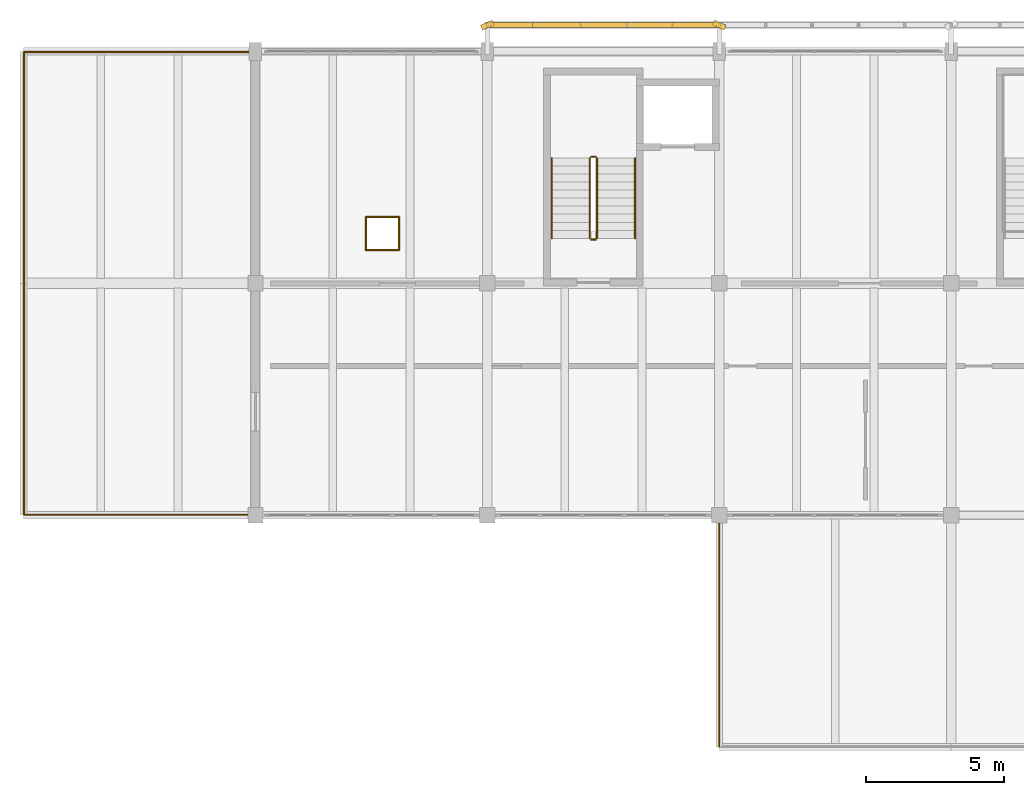
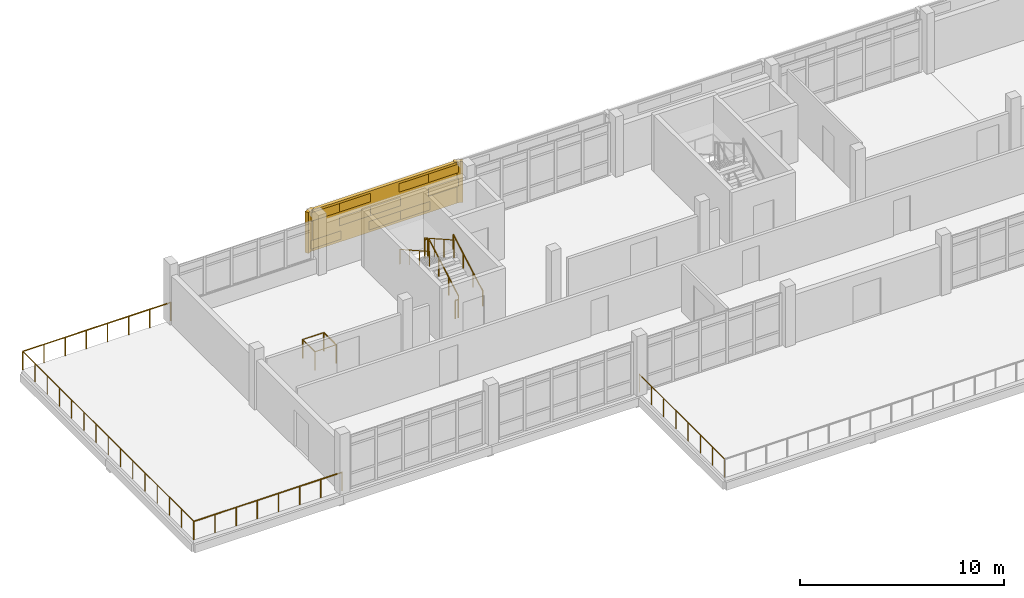
# One storey, part 26 of 30: 14 railings, 12 coverings, 1 shading device.
"""IFC4 building model written with IfcOpenShell, lengths in metres."""

from ifc_helpers import new_model, si_unit, direction, frame, origin, origin_2d, place, context, subcontext, project, spatial, rectangle, circle, extrude, material, layer, layer_set, type_object, element, save


model = new_model("IFC4")

# Units and contexts
model_context = context("Model", 3, precision=1e-05, world=origin(), true_north=direction((0.0, 1.0)))
body_context = subcontext(model_context, "Body", "Model", "MODEL_VIEW")
ifc_project = project(units=[si_unit("LENGTHUNIT", "METRE"), si_unit("AREAUNIT", "SQUARE_METRE"), si_unit("VOLUMEUNIT", "CUBIC_METRE"), si_unit("PLANEANGLEUNIT", "RADIAN"), si_unit("MASSUNIT", "GRAM", prefix="KILO")], contexts=[model_context])

# Site, building, storey
site_placement = place(None, origin())
site = spatial("IfcSite", under=ifc_project, at=site_placement, CompositionType="ELEMENT")
building_placement = place(site_placement, origin())
building = spatial("IfcBuilding", under=site, at=building_placement, Name="Cinderway Yard Community Centre", CompositionType="ELEMENT")
storey_placement = place(building_placement, frame((0.0, 0.0, 16.5)))
storey = spatial("IfcBuildingStorey", under=building, at=storey_placement, Name="L04", CompositionType="ELEMENT", Elevation=16.5)

# Coverings
ifc_material_1 = material(Name="Brick Masonry", Category="masonry")
ifc_layer = layer(ifc_material_1, 0.18994140625, Name="Brick Masonry")
ifc_layer_set = layer_set([ifc_layer], Name="Brick Masonry")
covering_type = type_object("IfcCoveringType", Name="ENV-COV-BRK-SCREEN", PredefinedType="CLADDING", material=ifc_layer_set)
for number, where, z_axis, x_axis, name in (
    (1, (58.39990234375, 116.14990234375, 0.64990234375), (0.0, 0.0, 1.0), (0.913545457643, 0.406736643076, 0.0), "Deconstructivist folded brick fin 0356"),
    (2, (66.800048828125, 116.14990234375, 0.64990234375), (0.0, 0.0, 1.0), (0.913545457643, -0.406736643076, 0.0), "Deconstructivist folded brick fin 0357"),
):
    element("IfcCovering", number, at=place(storey_placement, frame(where, z_axis=z_axis, x_axis=x_axis)), inside=storey, type_object=covering_type, Name=name, PredefinedType="CLADDING", context=body_context, shape_type="SweptSolid", body=[
        extrude(rectangle(XDim=0.4599609375, YDim=0.199951171875, at=origin_2d()), origin(), (0.0, 0.0, 1.0), 2.449951171875),
    ])
for number, where, z_axis, x_axis, name in (
    (3, (59.239990234375, 116.14990234375, 0.7900390625), (0.0, 0.0, 1.0), (1.0, 0.0, 0.0), "Open-bond perforated brick screen course 00364"),
    (4, (62.60009765625, 116.14990234375, 0.7900390625), (0.0, 0.0, 1.0), (1.0, 0.0, 0.0), "Open-bond perforated brick screen course 00365"),
    (5, (64.280029296875, 116.14990234375, 0.7900390625), (0.0, 0.0, 1.0), (1.0, 0.0, 0.0), "Open-bond perforated brick screen course 00366"),
    (6, (60.919921875, 116.14990234375, 1.62109375), (0.0, 0.0, 1.0), (1.0, 0.0, 0.0), "Open-bond perforated brick screen course 00367"),
    (7, (62.60009765625, 116.14990234375, 1.62109375), (0.0, 0.0, 1.0), (1.0, 0.0, 0.0), "Open-bond perforated brick screen course 00368"),
    (8, (65.9599609375, 116.14990234375, 1.62109375), (0.0, 0.0, 1.0), (1.0, 0.0, 0.0), "Open-bond perforated brick screen course 00369"),
    (9, (59.239990234375, 116.14990234375, 2.4521484375), (0.0, 0.0, 1.0), (1.0, 0.0, 0.0), "Open-bond perforated brick screen course 00370"),
    (10, (60.919921875, 116.14990234375, 2.4521484375), (0.0, 0.0, 1.0), (1.0, 0.0, 0.0), "Open-bond perforated brick screen course 00371"),
    (11, (64.280029296875, 116.14990234375, 2.4521484375), (0.0, 0.0, 1.0), (1.0, 0.0, 0.0), "Open-bond perforated brick screen course 00372"),
    (12, (65.9599609375, 116.14990234375, 2.4521484375), (0.0, 0.0, 1.0), (1.0, 0.0, 0.0), "Open-bond perforated brick screen course 00373"),
):
    element("IfcCovering", number, at=place(storey_placement, frame(where, z_axis=z_axis, x_axis=x_axis)), inside=storey, type_object=covering_type, Name=name, PredefinedType="CLADDING", context=body_context, shape_type="SweptSolid", body=[
        extrude(rectangle(XDim=1.760009765625, YDim=0.18994140625, at=origin_2d()), origin(), (0.0, 0.0, 1.0), 0.508056640625),
    ])

# Shading device
shading_device_type = type_object("IfcShadingDeviceType", Name="ENV-SHD-BRICKSCREEN-A", PredefinedType="USERDEFINED", material=ifc_material_1)
shading_device_placement = place(storey_placement, frame((62.60009765625, 116.14990234375, 0.64990234375), z_axis=(0.0, 0.0, 1.0), x_axis=(1.0, 0.0, 0.0)))
element("IfcShadingDevice", 13, at=shading_device_placement, inside=storey, type_object=shading_device_type, Name="Street Perforated Brick Screen 0268", ObjectType="PERFORATED BRICK SCREEN", PredefinedType="USERDEFINED", context=body_context, shape_type="SweptSolid", body=[
    extrude(rectangle(XDim=8.199951171875, YDim=0.18994140625, at=origin_2d()), origin(), (0.0, 0.0, 1.0), 2.449951171875),
])

# Railings
ifc_material_2 = material(Name="Painted Galvanised Steel", Category="steel")
railing_type_1 = type_object("IfcRailingType", Name="INT-RAL-GRD112", PredefinedType="GUARDRAIL", material=ifc_material_2)
railing_1_placement = place(storey_placement, frame((62.3701171875, 108.429931640625, 0.16357421875)))
element("IfcRailing", 14, at=railing_1_placement, inside=storey, type_object=railing_type_1, Name="L04 ST-01 stair guard 1", PredefinedType="GUARDRAIL", context=body_context, shape_type="SweptSolid", body=[
    extrude(circle(Radius=0.02392578125, at=origin_2d()), frame((0.0, 0.0, 1.076171875), z_axis=(0.0, 0.870914908162, 0.491433843708), x_axis=(-1.0, 0.0, 0.0)), (0.0, 0.0, 1.0), 3.330078125),
    extrude(circle(Radius=0.02099609375, at=origin_2d()), origin(), (0.0, 0.0, 1.0), 1.052001953125),
    extrude(circle(Radius=0.02099609375, at=origin_2d()), frame((0.0, 0.966796875, 0.54541015625)), (0.0, 0.0, 1.0), 1.052001953125),
    extrude(circle(Radius=0.02099609375, at=origin_2d()), frame((0.0, 1.933349609375, 1.091064453125)), (0.0, 0.0, 1.0), 1.052001953125),
    extrude(circle(Radius=0.02099609375, at=origin_2d()), frame((0.0, 2.900146484375, 1.636474609375)), (0.0, 0.0, 1.0), 1.052001953125),
])
railing_2_placement = place(storey_placement, frame((62.320068359375, 111.3798828125, 1.800048828125)))
element("IfcRailing", 15, at=railing_2_placement, inside=storey, type_object=railing_type_1, Name="L04 ST-01 stair guard 2", PredefinedType="GUARDRAIL", context=body_context, shape_type="SweptSolid", body=[
    extrude(circle(Radius=0.02392578125, at=origin_2d()), frame((0.0, 0.0, 1.076171875), z_axis=(-1.0, 0.0, 0.0), x_axis=(0.0, -1.0, 0.0)), (0.0, 0.0, 1.0), 0.16015625),
    extrude(circle(Radius=0.02099609375, at=origin_2d()), origin(), (0.0, 0.0, 1.0), 1.052001953125),
    extrude(circle(Radius=0.02099609375, at=origin_2d()), frame((-0.16015625, 0.0, 0.0)), (0.0, 0.0, 1.0), 1.052001953125),
])
railing_3_placement = place(storey_placement, frame((62.110107421875, 111.330078125, 1.963623046875)))
element("IfcRailing", 16, at=railing_3_placement, inside=storey, type_object=railing_type_1, Name="L04 ST-01 stair guard 3", PredefinedType="GUARDRAIL", context=body_context, shape_type="SweptSolid", body=[
    extrude(circle(Radius=0.02392578125, at=origin_2d()), frame((0.0, 0.0, 1.076171875), z_axis=(0.0, -0.870914908162, 0.491433843708), x_axis=(1.0, 0.0, 0.0)), (0.0, 0.0, 1.0), 3.330078125),
    extrude(circle(Radius=0.02099609375, at=origin_2d()), origin(), (0.0, 0.0, 1.0), 1.052001953125),
    extrude(circle(Radius=0.02099609375, at=origin_2d()), frame((0.0, -0.966796875, 0.54541015625)), (0.0, 0.0, 1.0), 1.052001953125),
    extrude(circle(Radius=0.02099609375, at=origin_2d()), frame((0.0, -1.933349609375, 1.091064453125)), (0.0, 0.0, 1.0), 1.052001953125),
    extrude(circle(Radius=0.02099609375, at=origin_2d()), frame((0.0, -2.900146484375, 1.636474609375)), (0.0, 0.0, 1.0), 1.052001953125),
])
railing_4_placement = place(storey_placement, frame((62.320068359375, 108.3798828125, 0.0)))
element("IfcRailing", 17, at=railing_4_placement, inside=storey, type_object=railing_type_1, Name="L04 ST-01 stair guard 4", PredefinedType="GUARDRAIL", context=body_context, shape_type="SweptSolid", body=[
    extrude(circle(Radius=0.02392578125, at=origin_2d()), frame((0.0, 0.0, 1.076171875), z_axis=(-1.0, 0.0, 0.0), x_axis=(0.0, -1.0, 0.0)), (0.0, 0.0, 1.0), 0.16015625),
    extrude(circle(Radius=0.02099609375, at=origin_2d()), origin(), (0.0, 0.0, 1.0), 1.052001953125),
    extrude(circle(Radius=0.02099609375, at=origin_2d()), frame((-0.16015625, 0.0, 0.0)), (0.0, 0.0, 1.0), 1.052001953125),
])
railing_5_placement = place(storey_placement, frame((50.0, 98.419921875, 0.0)))
element("IfcRailing", 18, at=railing_5_placement, inside=storey, type_object=railing_type_1, Name="V4 L04 West Setback Terrace Guard 039", PredefinedType="GUARDRAIL", context=body_context, shape_type="SweptSolid", body=[
    extrude(circle(Radius=0.02392578125, at=origin_2d()), frame((0.0, 0.0, 1.09619140625), z_axis=(-1.0, 0.0, 0.0), x_axis=(0.0, -1.0, 0.0)), (0.0, 0.0, 1.0), 8.3798828125),
    extrude(circle(Radius=0.02099609375, at=origin_2d()), origin(), (0.0, 0.0, 1.0), 1.072021484375),
    extrude(circle(Radius=0.02099609375, at=origin_2d()), frame((-1.197021484375, 0.0, 0.0)), (0.0, 0.0, 1.0), 1.072021484375),
    extrude(circle(Radius=0.02099609375, at=origin_2d()), frame((-2.394287109375, 0.0, 0.0)), (0.0, 0.0, 1.0), 1.072021484375),
    extrude(circle(Radius=0.02099609375, at=origin_2d()), frame((-3.59130859375, 0.0, 0.0)), (0.0, 0.0, 1.0), 1.072021484375),
    extrude(circle(Radius=0.02099609375, at=origin_2d()), frame((-4.78857421875, 0.0, 0.0)), (0.0, 0.0, 1.0), 1.072021484375),
    extrude(circle(Radius=0.02099609375, at=origin_2d()), frame((-5.985595703125, 0.0, 0.0)), (0.0, 0.0, 1.0), 1.072021484375),
    extrude(circle(Radius=0.02099609375, at=origin_2d()), frame((-7.182861328125, 0.0, 0.0)), (0.0, 0.0, 1.0), 1.072021484375),
    extrude(circle(Radius=0.02099609375, at=origin_2d()), frame((-8.3798828125, 0.0, 0.0)), (0.0, 0.0, 1.0), 1.072021484375),
])
railing_6_placement = place(storey_placement, frame((41.6201171875, 98.419921875, 0.0)))
element("IfcRailing", 19, at=railing_6_placement, inside=storey, type_object=railing_type_1, Name="V4 L04 West Setback Terrace Guard 040", PredefinedType="GUARDRAIL", context=body_context, shape_type="SweptSolid", body=[
    extrude(circle(Radius=0.02392578125, at=origin_2d()), frame((0.0, 0.0, 1.09619140625), z_axis=(0.0, 1.0, 0.0), x_axis=(-1.0, 0.0, 0.0)), (0.0, 0.0, 1.0), 16.760009765625),
    extrude(circle(Radius=0.02099609375, at=origin_2d()), origin(), (0.0, 0.0, 1.0), 1.072021484375),
    extrude(circle(Radius=0.02099609375, at=origin_2d()), frame((0.0, 1.197265625, 0.0)), (0.0, 0.0, 1.0), 1.072021484375),
    extrude(circle(Radius=0.02099609375, at=origin_2d()), frame((0.0, 2.394287109375, 0.0)), (0.0, 0.0, 1.0), 1.072021484375),
    extrude(circle(Radius=0.02099609375, at=origin_2d()), frame((0.0, 3.59130859375, 0.0)), (0.0, 0.0, 1.0), 1.072021484375),
    extrude(circle(Radius=0.02099609375, at=origin_2d()), frame((0.0, 4.78857421875, 0.0)), (0.0, 0.0, 1.0), 1.072021484375),
    extrude(circle(Radius=0.02099609375, at=origin_2d()), frame((0.0, 5.98583984375, 0.0)), (0.0, 0.0, 1.0), 1.072021484375),
    extrude(circle(Radius=0.02099609375, at=origin_2d()), frame((0.0, 7.182861328125, 0.0)), (0.0, 0.0, 1.0), 1.072021484375),
    extrude(circle(Radius=0.02099609375, at=origin_2d()), frame((0.0, 8.3798828125, 0.0)), (0.0, 0.0, 1.0), 1.072021484375),
    extrude(circle(Radius=0.02099609375, at=origin_2d()), frame((0.0, 9.5771484375, 0.0)), (0.0, 0.0, 1.0), 1.072021484375),
    extrude(circle(Radius=0.02099609375, at=origin_2d()), frame((0.0, 10.7744140625, 0.0)), (0.0, 0.0, 1.0), 1.072021484375),
    extrude(circle(Radius=0.02099609375, at=origin_2d()), frame((0.0, 11.971435546875, 0.0)), (0.0, 0.0, 1.0), 1.072021484375),
    extrude(circle(Radius=0.02099609375, at=origin_2d()), frame((0.0, 13.16845703125, 0.0)), (0.0, 0.0, 1.0), 1.072021484375),
    extrude(circle(Radius=0.02099609375, at=origin_2d()), frame((0.0, 14.36572265625, 0.0)), (0.0, 0.0, 1.0), 1.072021484375),
    extrude(circle(Radius=0.02099609375, at=origin_2d()), frame((0.0, 15.56298828125, 0.0)), (0.0, 0.0, 1.0), 1.072021484375),
    extrude(circle(Radius=0.02099609375, at=origin_2d()), frame((0.0, 16.760009765625, 0.0)), (0.0, 0.0, 1.0), 1.072021484375),
])
railing_7_placement = place(storey_placement, frame((41.6201171875, 115.179931640625, 0.0)))
element("IfcRailing", 20, at=railing_7_placement, inside=storey, type_object=railing_type_1, Name="V4 L04 West Setback Terrace Guard 041", PredefinedType="GUARDRAIL", context=body_context, shape_type="SweptSolid", body=[
    extrude(circle(Radius=0.02392578125, at=origin_2d()), frame((0.0, 0.0, 1.09619140625), z_axis=(1.0, 0.0, 0.0), x_axis=(0.0, 1.0, 0.0)), (0.0, 0.0, 1.0), 8.3798828125),
    extrude(circle(Radius=0.02099609375, at=origin_2d()), origin(), (0.0, 0.0, 1.0), 1.072021484375),
    extrude(circle(Radius=0.02099609375, at=origin_2d()), frame((1.197021484375, 0.0, 0.0)), (0.0, 0.0, 1.0), 1.072021484375),
    extrude(circle(Radius=0.02099609375, at=origin_2d()), frame((2.394287109375, 0.0, 0.0)), (0.0, 0.0, 1.0), 1.072021484375),
    extrude(circle(Radius=0.02099609375, at=origin_2d()), frame((3.59130859375, 0.0, 0.0)), (0.0, 0.0, 1.0), 1.072021484375),
    extrude(circle(Radius=0.02099609375, at=origin_2d()), frame((4.78857421875, 0.0, 0.0)), (0.0, 0.0, 1.0), 1.072021484375),
    extrude(circle(Radius=0.02099609375, at=origin_2d()), frame((5.985595703125, 0.0, 0.0)), (0.0, 0.0, 1.0), 1.072021484375),
    extrude(circle(Radius=0.02099609375, at=origin_2d()), frame((7.182861328125, 0.0, 0.0)), (0.0, 0.0, 1.0), 1.072021484375),
    extrude(circle(Radius=0.02099609375, at=origin_2d()), frame((8.3798828125, 0.0, 0.0)), (0.0, 0.0, 1.0), 1.072021484375),
])
railing_8_placement = place(storey_placement, frame((66.800048828125, 98.39990234375, 0.0)))
element("IfcRailing", 21, at=railing_8_placement, inside=storey, type_object=railing_type_1, Name="V4 L04 South Courtyard Terrace Guard 045", PredefinedType="GUARDRAIL", context=body_context, shape_type="SweptSolid", body=[
    extrude(circle(Radius=0.02392578125, at=origin_2d()), frame((0.0, 0.0, 1.09619140625), z_axis=(0.0, -1.0, 0.0), x_axis=(1.0, 0.0, 0.0)), (0.0, 0.0, 1.0), 8.3798828125),
    extrude(circle(Radius=0.02099609375, at=origin_2d()), origin(), (0.0, 0.0, 1.0), 1.072021484375),
    extrude(circle(Radius=0.02099609375, at=origin_2d()), frame((0.0, -1.197021484375, 0.0)), (0.0, 0.0, 1.0), 1.072021484375),
    extrude(circle(Radius=0.02099609375, at=origin_2d()), frame((0.0, -2.394287109375, 0.0)), (0.0, 0.0, 1.0), 1.072021484375),
    extrude(circle(Radius=0.02099609375, at=origin_2d()), frame((0.0, -3.59130859375, 0.0)), (0.0, 0.0, 1.0), 1.072021484375),
    extrude(circle(Radius=0.02099609375, at=origin_2d()), frame((0.0, -4.78857421875, 0.0)), (0.0, 0.0, 1.0), 1.072021484375),
    extrude(circle(Radius=0.02099609375, at=origin_2d()), frame((0.0, -5.985595703125, 0.0)), (0.0, 0.0, 1.0), 1.072021484375),
    extrude(circle(Radius=0.02099609375, at=origin_2d()), frame((0.0, -7.182861328125, 0.0)), (0.0, 0.0, 1.0), 1.072021484375),
    extrude(circle(Radius=0.02099609375, at=origin_2d()), frame((0.0, -8.3798828125, 0.0)), (0.0, 0.0, 1.0), 1.072021484375),
])
railing_9_placement = place(storey_placement, frame((54.0, 108.0, 0.0)))
element("IfcRailing", 22, at=railing_9_placement, inside=storey, type_object=railing_type_1, Name="Service void perimeter guard L04 195", PredefinedType="GUARDRAIL", context=body_context, shape_type="SweptSolid", body=[
    extrude(circle(Radius=0.02392578125, at=origin_2d()), frame((0.0, 0.0, 1.09619140625), z_axis=(1.0, 0.0, 0.0), x_axis=(0.0, 1.0, 0.0)), (0.0, 0.0, 1.0), 1.199951171875),
    extrude(circle(Radius=0.02099609375, at=origin_2d()), origin(), (0.0, 0.0, 1.0), 1.072021484375),
    extrude(circle(Radius=0.02099609375, at=origin_2d()), frame((1.199951171875, 0.0, 0.0)), (0.0, 0.0, 1.0), 1.072021484375),
])
railing_10_placement = place(storey_placement, frame((55.199951171875, 108.0, 0.0)))
element("IfcRailing", 23, at=railing_10_placement, inside=storey, type_object=railing_type_1, Name="Service void perimeter guard L04 196", PredefinedType="GUARDRAIL", context=body_context, shape_type="SweptSolid", body=[
    extrude(circle(Radius=0.02392578125, at=origin_2d()), frame((0.0, 0.0, 1.09619140625), z_axis=(0.0, 1.0, 0.0), x_axis=(-1.0, 0.0, 0.0)), (0.0, 0.0, 1.0), 1.199951171875),
    extrude(circle(Radius=0.02099609375, at=origin_2d()), origin(), (0.0, 0.0, 1.0), 1.072021484375),
    extrude(circle(Radius=0.02099609375, at=origin_2d()), frame((0.0, 1.199951171875, 0.0)), (0.0, 0.0, 1.0), 1.072021484375),
])
railing_11_placement = place(storey_placement, frame((55.199951171875, 109.199951171875, 0.0)))
element("IfcRailing", 24, at=railing_11_placement, inside=storey, type_object=railing_type_1, Name="Service void perimeter guard L04 197", PredefinedType="GUARDRAIL", context=body_context, shape_type="SweptSolid", body=[
    extrude(circle(Radius=0.02392578125, at=origin_2d()), frame((0.0, 0.0, 1.09619140625), z_axis=(-1.0, 0.0, 0.0), x_axis=(0.0, -1.0, 0.0)), (0.0, 0.0, 1.0), 1.199951171875),
    extrude(circle(Radius=0.02099609375, at=origin_2d()), origin(), (0.0, 0.0, 1.0), 1.072021484375),
    extrude(circle(Radius=0.02099609375, at=origin_2d()), frame((-1.199951171875, 0.0, 0.0)), (0.0, 0.0, 1.0), 1.072021484375),
])
railing_12_placement = place(storey_placement, frame((54.0, 109.199951171875, 0.0)))
element("IfcRailing", 25, at=railing_12_placement, inside=storey, type_object=railing_type_1, Name="Service void perimeter guard L04 198", PredefinedType="GUARDRAIL", context=body_context, shape_type="SweptSolid", body=[
    extrude(circle(Radius=0.02392578125, at=origin_2d()), frame((0.0, 0.0, 1.09619140625), z_axis=(0.0, -1.0, 0.0), x_axis=(1.0, 0.0, 0.0)), (0.0, 0.0, 1.0), 1.199951171875),
    extrude(circle(Radius=0.02099609375, at=origin_2d()), origin(), (0.0, 0.0, 1.0), 1.072021484375),
    extrude(circle(Radius=0.02099609375, at=origin_2d()), frame((0.0, -1.199951171875, 0.0)), (0.0, 0.0, 1.0), 1.072021484375),
])
railing_type_2 = type_object("IfcRailingType", Name="INT-RAL-HND090", PredefinedType="HANDRAIL", material=ifc_material_2)
railing_13_placement = place(storey_placement, frame((63.75, 108.429931640625, 0.16357421875)))
element("IfcRailing", 26, at=railing_13_placement, inside=storey, type_object=railing_type_2, Name="L04 ST-01 stair handrail 1", PredefinedType="HANDRAIL", context=body_context, shape_type="SweptSolid", body=[
    extrude(circle(Radius=0.02392578125, at=origin_2d()), frame((0.0, 0.0, 0.8759765625), z_axis=(0.0, 0.870914908162, 0.491433843708), x_axis=(-1.0, 0.0, 0.0)), (0.0, 0.0, 1.0), 3.330078125),
    extrude(circle(Radius=0.02099609375, at=origin_2d()), origin(), (0.0, 0.0, 1.0), 0.851806640625),
    extrude(circle(Radius=0.02099609375, at=origin_2d()), frame((0.0, 0.966796875, 0.54541015625)), (0.0, 0.0, 1.0), 0.851806640625),
    extrude(circle(Radius=0.02099609375, at=origin_2d()), frame((0.0, 1.933349609375, 1.091064453125)), (0.0, 0.0, 1.0), 0.851806640625),
    extrude(circle(Radius=0.02099609375, at=origin_2d()), frame((0.0, 2.900146484375, 1.636474609375)), (0.0, 0.0, 1.0), 0.851806640625),
])
railing_14_placement = place(storey_placement, frame((60.72998046875, 111.330078125, 1.963623046875)))
element("IfcRailing", 27, at=railing_14_placement, inside=storey, type_object=railing_type_2, Name="L04 ST-01 stair handrail 2", PredefinedType="HANDRAIL", context=body_context, shape_type="SweptSolid", body=[
    extrude(circle(Radius=0.02392578125, at=origin_2d()), frame((0.0, 0.0, 0.8759765625), z_axis=(0.0, -0.870914908162, 0.491433843708), x_axis=(1.0, 0.0, 0.0)), (0.0, 0.0, 1.0), 3.330078125),
    extrude(circle(Radius=0.02099609375, at=origin_2d()), origin(), (0.0, 0.0, 1.0), 0.851806640625),
    extrude(circle(Radius=0.02099609375, at=origin_2d()), frame((0.0, -0.966796875, 0.54541015625)), (0.0, 0.0, 1.0), 0.851806640625),
    extrude(circle(Radius=0.02099609375, at=origin_2d()), frame((0.0, -1.933349609375, 1.091064453125)), (0.0, 0.0, 1.0), 0.851806640625),
    extrude(circle(Radius=0.02099609375, at=origin_2d()), frame((0.0, -2.900146484375, 1.636474609375)), (0.0, 0.0, 1.0), 0.851806640625),
])

save(model, "model.ifc")
